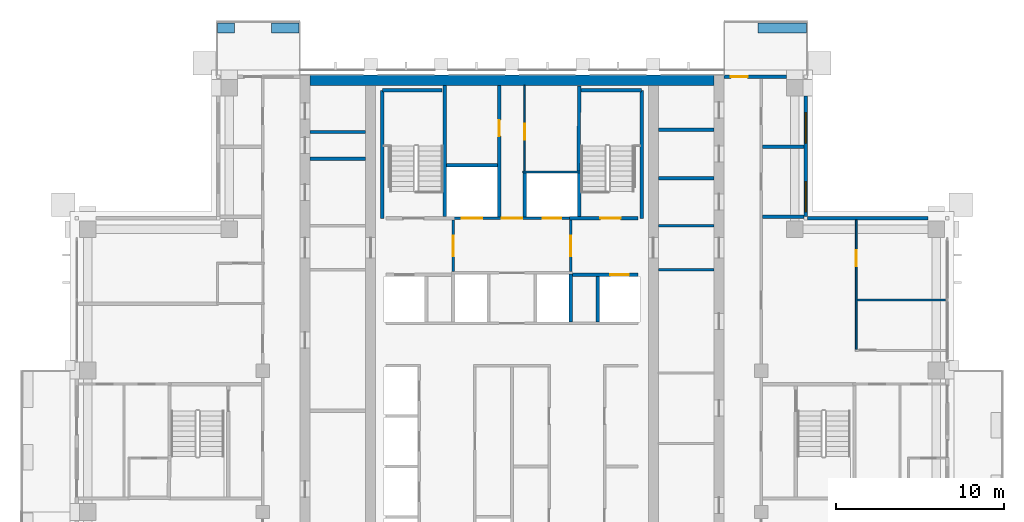
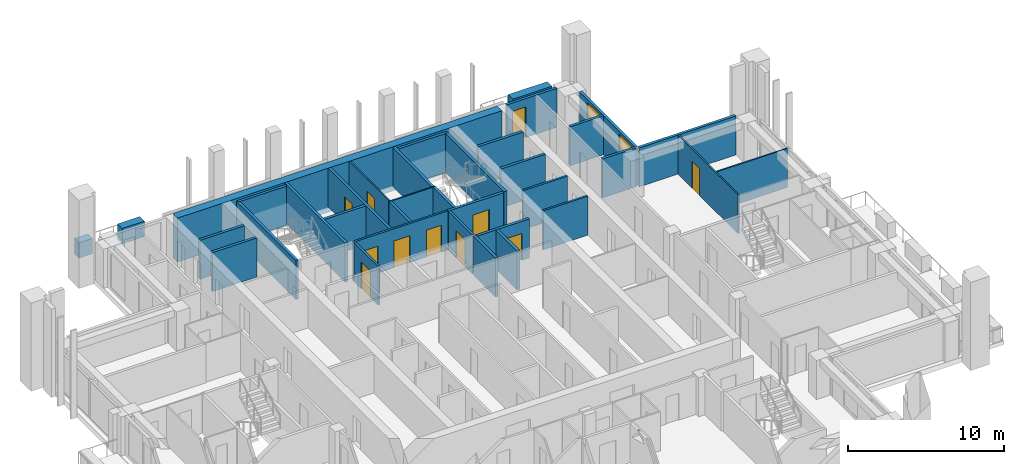
# One storey, part 13 of 18: 36 walls, 11 doors, 2 windows, 13 openings.
"""IFC4 building model written with IfcOpenShell, lengths in metres."""

from ifc_helpers import new_model, si_unit, direction, frame, frame_2d, origin, place, context, subcontext, project, spatial, rectangle, extrude, material, layer, layer_set, type_object, element, fill, save


model = new_model("IFC4")

# Units and contexts
model_context = context("Model", 3, precision=1e-05, world=origin(), true_north=direction((0.0, 1.0)))
body_context = subcontext(model_context, "Body", "Model", "MODEL_VIEW")
ifc_project = project(units=[si_unit("LENGTHUNIT", "METRE"), si_unit("AREAUNIT", "SQUARE_METRE"), si_unit("VOLUMEUNIT", "CUBIC_METRE"), si_unit("PLANEANGLEUNIT", "RADIAN"), si_unit("MASSUNIT", "GRAM", prefix="KILO")], contexts=[model_context])

# Site, building, storey
site_placement = place(None, origin())
site = spatial("IfcSite", under=ifc_project, at=site_placement, CompositionType="ELEMENT")
building_placement = place(site_placement, origin())
building = spatial("IfcBuilding", under=site, at=building_placement, Name="Vermilion Ogive Tower", CompositionType="ELEMENT")
storey_placement = place(building_placement, frame((0.0, 0.0, 199.699951171875)))
storey = spatial("IfcBuildingStorey", under=building, at=storey_placement, Name="L52", CompositionType="ELEMENT", Elevation=199.699951171875)

# Walls
ifc_material_1 = material(Name="Concrete B60", Category="concrete")
ifc_layer_1 = layer(ifc_material_1, 0.60009765625)
ifc_layer_set_1 = layer_set([ifc_layer_1], Name="Core wall 600 B60")
wall_type_1 = type_object("IfcWallType", Name="Core wall 600 B60", PredefinedType="SHEAR", material=ifc_layer_set_1)
wall_1_placement = place(storey_placement, frame((-12.0, 21.449951171875, -0.39990234375), z_axis=(0.0, 0.0, 1.0), x_axis=(1.0, 0.0, 0.0)))
element("IfcWall", 1, at=wall_1_placement, inside=storey, type_object=wall_type_1, Name="L52-CORE-N", PredefinedType="SHEAR", context=body_context, shape_type="SweptSolid", body=[
    extrude(rectangle(XDim=24.0, YDim=0.60009765625, at=frame_2d((12.0, 0.0))), origin(), (0.0, 0.0, 1.0), 3.449951171875),
])
ifc_material_2 = material(Name="Gypsum board partition on steel studs", Category="steel")
ifc_layer_2 = layer(ifc_material_2, 0.10009765625)
ifc_layer_set_2 = layer_set([ifc_layer_2], Name="Partition 100 bath")
wall_type_2 = type_object("IfcWallType", Name="Partition 100 bath", PredefinedType="PARTITIONING", material=ifc_layer_set_2)
wall_2_placement = place(storey_placement, frame((0.64990234375, 16.0, 0.0), z_axis=(0.0, 0.0, 1.0), x_axis=(1.0, 0.0, 0.0)))
element("IfcWall", 2, at=wall_2_placement, inside=storey, type_object=wall_type_2, Name="L52-CK-W-W017", PredefinedType="PARTITIONING", context=body_context, shape_type="SweptSolid", body=[
    extrude(rectangle(XDim=3.4501953125, YDim=0.10009765625, at=frame_2d((1.72509765625, 0.0))), origin(), (0.0, 0.0, 1.0), 3.050048828125),
])

# Wall, opening, door
wall_3_placement = place(storey_placement, frame((0.75, 16.050048828125, 0.0), z_axis=(0.0, 0.0, 1.0), x_axis=(0.0, 1.0, 0.0)))
wall_3 = element("IfcWall", 3, at=wall_3_placement, inside=storey, type_object=wall_type_2, Name="L52-CK-W-W029", PredefinedType="PARTITIONING", context=body_context, shape_type="SweptSolid", body=[
    extrude(rectangle(XDim=5.098876953125, YDim=0.10009765625, at=frame_2d((2.54931640625, 0.0))), origin(), (0.0, 0.0, 1.0), 3.050048828125),
])
opening_1_placement = place(wall_3_placement, frame((1.875, 0.0, 0.0)))
opening_1 = element("IfcOpeningElement", 4, at=opening_1_placement, cuts=wall_3, Name="Opening DAA478", PredefinedType="OPENING", context=body_context, shape_type="SweptSolid", body=[
    extrude(rectangle(XDim=0.949951171875, YDim=2.10009765625, at=frame_2d((0.47509765625, 1.050048828125))), frame((0.0, 0.06005859375, 0.0), z_axis=(0.0, -1.0, 0.0), x_axis=(1.0, 0.0, 0.0)), (0.0, 0.0, 1.0), 0.1201171875),
])
ifc_material_3 = material(Name="Timber door leaf", Category="wood")
door_type_1 = type_object("IfcDoorType", Name="Service door 950 x 2100 FD60", OperationType="SINGLE_SWING_LEFT", PredefinedType="DOOR", material=ifc_material_3)
door_1_placement = place(opening_1_placement, origin())
door_1 = element("IfcDoor", 5, at=door_1_placement, inside=storey, type_object=door_type_1, Name="L52-CK-D-D021", OperationType="SINGLE_SWING_LEFT", OverallHeight=2.10009765625, OverallWidth=0.949951171875, PredefinedType="DOOR", context=body_context, shape_type="SweptSolid", body=[
    extrude(rectangle(XDim=0.949951171875, YDim=2.10009765625, at=frame_2d((0.47509765625, 1.050048828125))), frame((0.0, 0.02490234375, 0.0), z_axis=(0.0, -1.0, 0.0), x_axis=(1.0, 0.0, 0.0)), (0.0, 0.0, 1.0), 0.050048828125),
])
fill(opening_1, door_1)

# Wall
ifc_material_4 = material(Name="Gypsum board partition on steel studs", Category="steel")
ifc_layer_3 = layer(ifc_material_4, 0.10009765625)
ifc_layer_set_3 = layer_set([ifc_layer_3], Name="Partition 100 inner")
wall_type_3 = type_object("IfcWallType", Name="Partition 100 inner", PredefinedType="PARTITIONING", material=ifc_layer_set_3)
wall_4_placement = place(storey_placement, frame((20.5, 8.39990234375, 0.0), z_axis=(0.0, 0.0, 1.0), x_axis=(1.0, 0.0, 0.0)))
element("IfcWall", 6, at=wall_4_placement, inside=storey, type_object=wall_type_3, Name="L52-W-W030", PredefinedType="PARTITIONING", context=body_context, shape_type="SweptSolid", body=[
    extrude(rectangle(XDim=5.25, YDim=0.10009765625, at=frame_2d((2.625, 0.0))), origin(), (0.0, 0.0, 1.0), 3.050048828125),
])

# Wall, opening, door
wall_5_placement = place(storey_placement, frame((20.449951171875, 5.449951171875, 0.0), z_axis=(0.0, 0.0, 1.0), x_axis=(0.0, 1.0, 0.0)))
wall_5 = element("IfcWall", 7, at=wall_5_placement, inside=storey, type_object=wall_type_3, Name="L52-W-W060", PredefinedType="PARTITIONING", context=body_context, shape_type="SweptSolid", body=[
    extrude(rectangle(XDim=7.699951171875, YDim=0.10009765625, at=frame_2d((3.85009765625, 0.0))), origin(), (0.0, 0.0, 1.0), 3.050048828125),
])
opening_2_placement = place(wall_5_placement, frame((4.949951171875, 0.0, 0.0)))
opening_2 = element("IfcOpeningElement", 8, at=opening_2_placement, cuts=wall_5, Name="Opening D4G4019", PredefinedType="OPENING", context=body_context, shape_type="SweptSolid", body=[
    extrude(rectangle(XDim=0.949951171875, YDim=2.10009765625, at=frame_2d((0.47509765625, 1.050048828125))), frame((0.0, 0.06005859375, 0.0), z_axis=(0.0, -1.0, 0.0), x_axis=(1.0, 0.0, 0.0)), (0.0, 0.0, 1.0), 0.1201171875),
])
ifc_material_5 = material(Name="Timber door leaf", Category="wood")
door_type_2 = type_object("IfcDoorType", Name="Inner door 950 x 2100 FD30", OperationType="SINGLE_SWING_LEFT", PredefinedType="DOOR", material=ifc_material_5)
door_2_placement = place(opening_2_placement, origin())
door_2 = element("IfcDoor", 9, at=door_2_placement, inside=storey, type_object=door_type_2, Name="L52-D-D019", OperationType="SINGLE_SWING_LEFT", OverallHeight=2.10009765625, OverallWidth=0.949951171875, PredefinedType="DOOR", context=body_context, shape_type="SweptSolid", body=[
    extrude(rectangle(XDim=0.949951171875, YDim=2.10009765625, at=frame_2d((0.47509765625, 1.050048828125))), frame((0.0, 0.02490234375, 0.0), z_axis=(0.0, -1.0, 0.0), x_axis=(1.0, 0.0, 0.0)), (0.0, 0.0, 1.0), 0.050048828125),
])
fill(opening_2, door_2)

# Wall, openings, doors
ifc_material_6 = material(Name="Gypsum board partition on steel studs", Category="steel")
ifc_layer_4 = layer(ifc_material_6, 0.14990234375)
ifc_layer_set_4 = layer_set([ifc_layer_4], Name="Partition 150 corridor")
wall_type_4 = type_object("IfcWallType", Name="Partition 150 corridor", PredefinedType="PARTITIONING", material=ifc_layer_set_4)
wall_6_placement = place(storey_placement, frame((-3.574951171875, 13.25, 0.0), z_axis=(0.0, 0.0, 1.0), x_axis=(1.0, 0.0, 0.0)))
wall_6 = element("IfcWall", 10, at=wall_6_placement, inside=storey, type_object=wall_type_4, Name="L52-CK-W-W015", PredefinedType="PARTITIONING", context=body_context, shape_type="SweptSolid", body=[
    extrude(rectangle(XDim=7.14990234375, YDim=0.14990234375, at=frame_2d((3.574951171875, 0.0))), origin(), (0.0, 0.0, 1.0), 3.050048828125),
])
opening_3_placement = place(wall_6_placement, frame((0.599853515625, 0.0, 0.0)))
opening_3 = element("IfcOpeningElement", 11, at=opening_3_placement, cuts=wall_6, Name="Opening DAA489", PredefinedType="OPENING", context=body_context, shape_type="SweptSolid", body=[
    extrude(rectangle(XDim=1.199951171875, YDim=2.10009765625, at=frame_2d((0.60009765625, 1.050048828125))), frame((0.0, 0.0849609375, 0.0), z_axis=(0.0, -1.0, 0.0), x_axis=(1.0, 0.0, 0.0)), (0.0, 0.0, 1.0), 0.169921875),
])
opening_4_placement = place(wall_6_placement, frame((5.39990234375, 0.0, 0.0)))
opening_4 = element("IfcOpeningElement", 12, at=opening_4_placement, cuts=wall_6, Name="Opening DAA488", PredefinedType="OPENING", context=body_context, shape_type="SweptSolid", body=[
    extrude(rectangle(XDim=1.10009765625, YDim=2.10009765625, at=frame_2d((0.550048828125, 1.050048828125))), frame((0.0, 0.0849609375, 0.0), z_axis=(0.0, -1.0, 0.0), x_axis=(1.0, 0.0, 0.0)), (0.0, 0.0, 1.0), 0.169921875),
])
opening_5_placement = place(wall_6_placement, frame((2.974853515625, 0.0, 0.0)))
opening_5 = element("IfcOpeningElement", 13, at=opening_5_placement, cuts=wall_6, Name="Opening DAA471", PredefinedType="OPENING", context=body_context, shape_type="SweptSolid", body=[
    extrude(rectangle(XDim=1.199951171875, YDim=2.10009765625, at=frame_2d((0.60009765625, 1.050048828125))), frame((0.0, 0.0849609375, 0.0), z_axis=(0.0, -1.0, 0.0), x_axis=(1.0, 0.0, 0.0)), (0.0, 0.0, 1.0), 0.169921875),
])
ifc_material_7 = material(Name="Stainless steel", Category="steel")
door_type_3 = type_object("IfcDoorType", Name="Lift landing door 1100 x 2100", OperationType="SLIDING_TO_LEFT", PredefinedType="DOOR", material=ifc_material_7)
door_3_placement = place(opening_4_placement, origin())
door_3 = element("IfcDoor", 14, at=door_3_placement, inside=storey, type_object=door_type_3, Name="L52-CK-D-D018", OperationType="SLIDING_TO_LEFT", OverallHeight=2.10009765625, OverallWidth=1.10009765625, PredefinedType="DOOR", context=body_context, shape_type="SweptSolid", body=[
    extrude(rectangle(XDim=1.10009765625, YDim=2.10009765625, at=frame_2d((0.550048828125, 1.050048828125))), frame((0.0, 0.02490234375, 0.0), z_axis=(0.0, -1.0, 0.0), x_axis=(1.0, 0.0, 0.0)), (0.0, 0.0, 1.0), 0.050048828125),
])
fill(opening_4, door_3)
ifc_material_8 = material(Name="Stainless steel", Category="steel")
door_type_4 = type_object("IfcDoorType", Name="Lift landing door 1200 x 2100", OperationType="SLIDING_TO_LEFT", PredefinedType="DOOR", material=ifc_material_8)
door_4_placement = place(opening_3_placement, origin())
door_4 = element("IfcDoor", 15, at=door_4_placement, inside=storey, type_object=door_type_4, Name="L52-CK-D-D017", OperationType="SLIDING_TO_RIGHT", OverallHeight=2.10009765625, OverallWidth=1.199951171875, PredefinedType="DOOR", context=body_context, shape_type="SweptSolid", body=[
    extrude(rectangle(XDim=1.199951171875, YDim=2.10009765625, at=frame_2d((0.60009765625, 1.050048828125))), frame((0.0, 0.02490234375, 0.0), z_axis=(0.0, -1.0, 0.0), x_axis=(1.0, 0.0, 0.0)), (0.0, 0.0, 1.0), 0.050048828125),
])
fill(opening_3, door_4)
ifc_material_9 = material(Name="Timber door leaf", Category="wood")
door_type_5 = type_object("IfcDoorType", Name="Service door 1200 x 2100 FD60", OperationType="SINGLE_SWING_LEFT", PredefinedType="DOOR", material=ifc_material_9)
door_5_placement = place(opening_5_placement, origin())
door_5 = element("IfcDoor", 16, at=door_5_placement, inside=storey, type_object=door_type_5, Name="L52-CK-D-D019", OperationType="SINGLE_SWING_RIGHT", OverallHeight=2.10009765625, OverallWidth=1.199951171875, PredefinedType="DOOR", context=body_context, shape_type="SweptSolid", body=[
    extrude(rectangle(XDim=1.199951171875, YDim=2.10009765625, at=frame_2d((0.60009765625, 1.050048828125))), frame((0.0, 0.02490234375, 0.0), z_axis=(0.0, -1.0, 0.0), x_axis=(1.0, 0.0, 0.0)), (0.0, 0.0, 1.0), 0.050048828125),
])
fill(opening_5, door_5)

# Wall, opening, door
wall_7_placement = place(storey_placement, frame((-3.5, 10.074951171875, 0.0), z_axis=(0.0, 0.0, 1.0), x_axis=(0.0, 1.0, 0.0)))
wall_7 = element("IfcWall", 17, at=wall_7_placement, inside=storey, type_object=wall_type_4, Name="L52-CK-W-W023", PredefinedType="PARTITIONING", context=body_context, shape_type="SweptSolid", body=[
    extrude(rectangle(XDim=3.074951171875, YDim=0.14990234375, at=frame_2d((1.53759765625, 0.0))), origin(), (0.0, 0.0, 1.0), 3.050048828125),
])
opening_6_placement = place(wall_7_placement, frame((0.925048828125, 0.0, 0.0)))
opening_6 = element("IfcOpeningElement", 18, at=opening_6_placement, cuts=wall_7, Name="Opening DAA467", PredefinedType="OPENING", context=body_context, shape_type="SweptSolid", body=[
    extrude(rectangle(XDim=1.199951171875, YDim=2.10009765625, at=frame_2d((0.60009765625, 1.050048828125))), frame((0.0, 0.0849609375, 0.0), z_axis=(0.0, -1.0, 0.0), x_axis=(1.0, 0.0, 0.0)), (0.0, 0.0, 1.0), 0.169921875),
])
ifc_material_10 = material(Name="Timber door leaf", Category="wood")
door_type_6 = type_object("IfcDoorType", Name="Lobby door 1200 x 2100 FD60S", OperationType="SINGLE_SWING_LEFT", PredefinedType="DOOR", material=ifc_material_10)
door_6_placement = place(opening_6_placement, origin())
door_6 = element("IfcDoor", 19, at=door_6_placement, inside=storey, type_object=door_type_6, Name="L52-CK-D-D022", OperationType="SINGLE_SWING_RIGHT", OverallHeight=2.10009765625, OverallWidth=1.199951171875, PredefinedType="DOOR", context=body_context, shape_type="SweptSolid", body=[
    extrude(rectangle(XDim=1.199951171875, YDim=2.10009765625, at=frame_2d((0.60009765625, 1.050048828125))), frame((0.0, 0.02490234375, 0.0), z_axis=(0.0, -1.0, 0.0), x_axis=(1.0, 0.0, 0.0)), (0.0, 0.0, 1.0), 0.050048828125),
])
fill(opening_6, door_6)

wall_8_placement = place(storey_placement, frame((3.5, 10.074951171875, 0.0), z_axis=(0.0, 0.0, 1.0), x_axis=(0.0, 1.0, 0.0)))
wall_8 = element("IfcWall", 20, at=wall_8_placement, inside=storey, type_object=wall_type_4, Name="L52-CK-W-W033", PredefinedType="PARTITIONING", context=body_context, shape_type="SweptSolid", body=[
    extrude(rectangle(XDim=3.074951171875, YDim=0.14990234375, at=frame_2d((1.53759765625, 0.0))), origin(), (0.0, 0.0, 1.0), 3.050048828125),
])
opening_7_placement = place(wall_8_placement, frame((0.925048828125, 0.0, 0.0)))
opening_7 = element("IfcOpeningElement", 21, at=opening_7_placement, cuts=wall_8, Name="Opening DAA468", PredefinedType="OPENING", context=body_context, shape_type="SweptSolid", body=[
    extrude(rectangle(XDim=1.199951171875, YDim=2.10009765625, at=frame_2d((0.60009765625, 1.050048828125))), frame((0.0, 0.0849609375, 0.0), z_axis=(0.0, -1.0, 0.0), x_axis=(1.0, 0.0, 0.0)), (0.0, 0.0, 1.0), 0.169921875),
])
door_7_placement = place(opening_7_placement, origin())
door_7 = element("IfcDoor", 22, at=door_7_placement, inside=storey, type_object=door_type_6, Name="L52-CK-D-D023", OperationType="SINGLE_SWING_LEFT", OverallHeight=2.10009765625, OverallWidth=1.199951171875, PredefinedType="DOOR", context=body_context, shape_type="SweptSolid", body=[
    extrude(rectangle(XDim=1.199951171875, YDim=2.10009765625, at=frame_2d((0.60009765625, 1.050048828125))), frame((0.0, 0.02490234375, 0.0), z_axis=(0.0, -1.0, 0.0), x_axis=(1.0, 0.0, 0.0)), (0.0, 0.0, 1.0), 0.050048828125),
])
fill(opening_7, door_7)

# Walls
for number, where, z_axis, x_axis, name in (
    (23, (8.700927734375, 10.199951171875, 0.0), (0.0, 0.0, 1.0), (1.0, 0.0, 0.0), "L52-CKE-W-W003"),
    (24, (8.700927734375, 12.800048828125, 0.0), (0.0, 0.0, 1.0), (1.0, 0.0, 0.0), "L52-CKE-W-W004"),
):
    element("IfcWall", number, at=place(storey_placement, frame(where, z_axis=z_axis, x_axis=x_axis)), inside=storey, type_object=wall_type_4, Name=name, PredefinedType="PARTITIONING", context=body_context, shape_type="SweptSolid", body=[
        extrude(rectangle(XDim=3.298095703125, YDim=0.14990234375, at=frame_2d((1.64892578125, 0.0))), origin(), (0.0, 0.0, 1.0), 3.050048828125),
    ])
ifc_material_11 = material(Name="Gypsum board partition on steel studs", Category="steel")
ifc_layer_5 = layer(ifc_material_11, 0.199951171875)
ifc_layer_set_5 = layer_set([ifc_layer_5], Name="Partition 200 party")
wall_type_5 = type_object("IfcWallType", Name="Partition 200 party", PredefinedType="PARTITIONING", material=ifc_layer_set_5)
for number, where, z_axis, x_axis, name in (
    (25, (14.875, 13.35009765625, 0.0), (0.0, 0.0, 1.0), (1.0, 0.0, 0.0), "L52-W-W033"),
    (26, (14.875, 17.5, 0.0), (0.0, 0.0, 1.0), (1.0, 0.0, 0.0), "L52-W-W035"),
):
    element("IfcWall", number, at=place(storey_placement, frame(where, z_axis=z_axis, x_axis=x_axis)), inside=storey, type_object=wall_type_5, Name=name, PredefinedType="PARTITIONING", context=body_context, shape_type="SweptSolid", body=[
        extrude(rectangle(XDim=2.47509765625, YDim=0.199951171875, at=frame_2d((1.237548828125, 0.0))), origin(), (0.0, 0.0, 1.0), 3.050048828125),
    ])

# Wall, opening, door
wall_9_placement = place(storey_placement, frame((3.60009765625, 9.89990234375, 0.0), z_axis=(0.0, 0.0, 1.0), x_axis=(1.0, 0.0, 0.0)))
wall_9 = element("IfcWall", 27, at=wall_9_placement, inside=storey, type_object=wall_type_5, Name="L52-CK-W-W012", PredefinedType="PARTITIONING", context=body_context, shape_type="SweptSolid", body=[
    extrude(rectangle(XDim=3.89990234375, YDim=0.199951171875, at=frame_2d((1.949951171875, 0.0))), origin(), (0.0, 0.0, 1.0), 3.050048828125),
])
opening_8_placement = place(wall_9_placement, frame((2.25, 0.0, 0.0)))
opening_8 = element("IfcOpeningElement", 28, at=opening_8_placement, cuts=wall_9, Name="Opening DAA487", PredefinedType="OPENING", context=body_context, shape_type="SweptSolid", body=[
    extrude(rectangle(XDim=1.10009765625, YDim=2.10009765625, at=frame_2d((0.550048828125, 1.050048828125))), frame((0.0, 0.10986328125, 0.0), z_axis=(0.0, -1.0, 0.0), x_axis=(1.0, 0.0, 0.0)), (0.0, 0.0, 1.0), 0.219970703125),
])
door_8_placement = place(opening_8_placement, origin())
door_8 = element("IfcDoor", 29, at=door_8_placement, inside=storey, type_object=door_type_3, Name="L52-CK-D-D014", OperationType="SLIDING_TO_LEFT", OverallHeight=2.10009765625, OverallWidth=1.10009765625, PredefinedType="DOOR", context=body_context, shape_type="SweptSolid", body=[
    extrude(rectangle(XDim=1.10009765625, YDim=2.10009765625, at=frame_2d((0.550048828125, 1.050048828125))), frame((0.0, 0.02490234375, 0.0), z_axis=(0.0, -1.0, 0.0), x_axis=(1.0, 0.0, 0.0)), (0.0, 0.0, 1.0), 0.050048828125),
])
fill(opening_8, door_8)

# Wall
wall_10_placement = place(storey_placement, frame((-3.89990234375, 16.39990234375, 0.0), z_axis=(0.0, 0.0, 1.0), x_axis=(1.0, 0.0, 0.0)))
element("IfcWall", 30, at=wall_10_placement, inside=storey, type_object=wall_type_5, Name="L52-CK-W-W018", PredefinedType="PARTITIONING", context=body_context, shape_type="SweptSolid", body=[
    extrude(rectangle(XDim=3.0498046875, YDim=0.199951171875, at=frame_2d((1.52490234375, 0.0))), origin(), (0.0, 0.0, 1.0), 3.050048828125),
])

# Wall, opening, door
wall_11_placement = place(storey_placement, frame((-0.75, 13.324951171875, 0.0), z_axis=(0.0, 0.0, 1.0), x_axis=(0.0, 1.0, 0.0)))
wall_11 = element("IfcWall", 31, at=wall_11_placement, inside=storey, type_object=wall_type_5, Name="L52-CK-W-W026", PredefinedType="PARTITIONING", context=body_context, shape_type="SweptSolid", body=[
    extrude(rectangle(XDim=7.823974609375, YDim=0.199951171875, at=frame_2d((3.912109375, 0.0))), origin(), (0.0, 0.0, 1.0), 3.050048828125),
])
opening_9_placement = place(wall_11_placement, frame((4.800048828125, 0.0, 0.0)))
opening_9 = element("IfcOpeningElement", 32, at=opening_9_placement, cuts=wall_11, Name="Opening DAA477", PredefinedType="OPENING", context=body_context, shape_type="SweptSolid", body=[
    extrude(rectangle(XDim=0.949951171875, YDim=2.10009765625, at=frame_2d((0.47509765625, 1.050048828125))), frame((0.0, 0.10986328125, 0.0), z_axis=(0.0, -1.0, 0.0), x_axis=(1.0, 0.0, 0.0)), (0.0, 0.0, 1.0), 0.219970703125),
])
door_9_placement = place(opening_9_placement, origin())
door_9 = element("IfcDoor", 33, at=door_9_placement, inside=storey, type_object=door_type_1, Name="L52-CK-D-D020", OperationType="SINGLE_SWING_RIGHT", OverallHeight=2.10009765625, OverallWidth=0.949951171875, PredefinedType="DOOR", context=body_context, shape_type="SweptSolid", body=[
    extrude(rectangle(XDim=0.949951171875, YDim=2.10009765625, at=frame_2d((0.47509765625, 1.050048828125))), frame((0.0, 0.02490234375, 0.0), z_axis=(0.0, -1.0, 0.0), x_axis=(1.0, 0.0, 0.0)), (0.0, 0.0, 1.0), 0.050048828125),
])
fill(opening_9, door_9)

# Walls
wall_12_placement = place(storey_placement, frame((0.75, 13.324951171875, 0.0), z_axis=(0.0, 0.0, 1.0), x_axis=(0.0, 1.0, 0.0)))
element("IfcWall", 34, at=wall_12_placement, inside=storey, type_object=wall_type_5, Name="L52-CK-W-W028", PredefinedType="PARTITIONING", context=body_context, shape_type="SweptSolid", body=[
    extrude(rectangle(XDim=2.625, YDim=0.199951171875, at=frame_2d((1.3125, 0.0))), origin(), (0.0, 0.0, 1.0), 3.050048828125),
])
wall_13_placement = place(storey_placement, frame((3.5, 7.074951171875, 0.0), z_axis=(0.0, 0.0, 1.0), x_axis=(0.0, 1.0, 0.0)))
element("IfcWall", 35, at=wall_13_placement, inside=storey, type_object=wall_type_5, Name="L52-CK-W-W032", PredefinedType="PARTITIONING", context=body_context, shape_type="SweptSolid", body=[
    extrude(rectangle(XDim=2.85009765625, YDim=0.199951171875, at=frame_2d((1.425048828125, 0.0))), origin(), (0.0, 0.0, 1.0), 3.050048828125),
])
wall_14_placement = place(storey_placement, frame((5.10009765625, 7.074951171875, 0.0), z_axis=(0.0, 0.0, 1.0), x_axis=(0.0, 1.0, 0.0)))
element("IfcWall", 36, at=wall_14_placement, inside=storey, type_object=wall_type_5, Name="L52-CK-W-W036", PredefinedType="PARTITIONING", context=body_context, shape_type="SweptSolid", body=[
    extrude(rectangle(XDim=2.72509765625, YDim=0.199951171875, at=frame_2d((1.362548828125, 0.0))), origin(), (0.0, 0.0, 1.0), 3.050048828125),
])
for number, where, z_axis, x_axis, name in (
    (37, (-11.9990234375, 16.7880859375, 0.0), (0.0, 0.0, 1.0), (1.0, 0.0, 0.0), "L52-CKW-W-W004"),
    (38, (-11.9990234375, 18.373046875, 0.0), (0.0, 0.0, 1.0), (1.0, 0.0, 0.0), "L52-CKW-W-W005"),
    (39, (8.700927734375, 15.636962890625, 0.0), (0.0, 0.0, 1.0), (1.0, 0.0, 0.0), "L52-CKE-W-W005"),
    (40, (8.700927734375, 18.509033203125, 0.0), (0.0, 0.0, 1.0), (1.0, 0.0, 0.0), "L52-CKE-W-W006"),
):
    element("IfcWall", number, at=place(storey_placement, frame(where, z_axis=z_axis, x_axis=x_axis)), inside=storey, type_object=wall_type_5, Name=name, PredefinedType="PARTITIONING", context=body_context, shape_type="SweptSolid", body=[
        extrude(rectangle(XDim=3.298095703125, YDim=0.199951171875, at=frame_2d((1.64892578125, 0.0))), origin(), (0.0, 0.0, 1.0), 3.050048828125),
    ])

# Wall, opening, door
ifc_material_12 = material(Name="Concrete B60", Category="concrete")
ifc_layer_6 = layer(ifc_material_12, 0.199951171875)
ifc_layer_set_6 = layer_set([ifc_layer_6], Name="Stair shaft wall 200 Concrete B60")
wall_type_6 = type_object("IfcWallType", Name="Stair shaft wall 200 Concrete B60", PredefinedType="SOLIDWALL", material=ifc_layer_set_6)
wall_15_placement = place(storey_placement, frame((3.425048828125, 13.25, 0.0), z_axis=(0.0, 0.0, 1.0), x_axis=(1.0, 0.0, 0.0)))
wall_15 = element("IfcWall", 41, at=wall_15_placement, inside=storey, type_object=wall_type_6, Name="L52-CK-W-W016", PredefinedType="SOLIDWALL", context=body_context, shape_type="SweptSolid", body=[
    extrude(rectangle(XDim=4.074951171875, YDim=0.199951171875, at=frame_2d((2.03759765625, 0.0))), origin(), (0.0, 0.0, 1.0), 3.050048828125),
])
opening_10_placement = place(wall_15_placement, frame((1.824951171875, 0.0, 0.0)))
opening_10 = element("IfcOpeningElement", 42, at=opening_10_placement, cuts=wall_15, Name="Opening DAA480", PredefinedType="OPENING", context=body_context, shape_type="SweptSolid", body=[
    extrude(rectangle(XDim=1.199951171875, YDim=2.10009765625, at=frame_2d((0.60009765625, 1.050048828125))), frame((0.0, 0.10986328125, 0.0), z_axis=(0.0, -1.0, 0.0), x_axis=(1.0, 0.0, 0.0)), (0.0, 0.0, 1.0), 0.219970703125),
])
ifc_material_13 = material(Name="Timber door leaf", Category="wood")
door_type_7 = type_object("IfcDoorType", Name="Stair door 1200 x 2100 FD60S", OperationType="SINGLE_SWING_LEFT", PredefinedType="DOOR", material=ifc_material_13)
door_10_placement = place(opening_10_placement, origin())
door_10 = element("IfcDoor", 43, at=door_10_placement, inside=storey, type_object=door_type_7, Name="L52-CK-D-D013", OperationType="SINGLE_SWING_RIGHT", OverallHeight=2.10009765625, OverallWidth=1.199951171875, PredefinedType="DOOR", context=body_context, shape_type="SweptSolid", body=[
    extrude(rectangle(XDim=1.199951171875, YDim=2.10009765625, at=frame_2d((0.60009765625, 1.050048828125))), frame((0.0, 0.02490234375, 0.0), z_axis=(0.0, -1.0, 0.0), x_axis=(1.0, 0.0, 0.0)), (0.0, 0.0, 1.0), 0.050048828125),
])
fill(opening_10, door_10)

# Walls
wall_16_placement = place(storey_placement, frame((-4.0, 13.35009765625, 0.0), z_axis=(0.0, 0.0, 1.0), x_axis=(0.0, 1.0, 0.0)))
element("IfcWall", 44, at=wall_16_placement, inside=storey, type_object=wall_type_6, Name="L52-CK-W-W021", PredefinedType="SOLIDWALL", context=body_context, shape_type="SweptSolid", body=[
    extrude(rectangle(XDim=7.798828125, YDim=0.199951171875, at=frame_2d((3.8994140625, 0.0))), origin(), (0.0, 0.0, 1.0), 3.050048828125),
])
wall_17_placement = place(storey_placement, frame((4.0, 13.35009765625, 0.0), z_axis=(0.0, 0.0, 1.0), x_axis=(0.0, 1.0, 0.0)))
element("IfcWall", 45, at=wall_17_placement, inside=storey, type_object=wall_type_6, Name="L52-CK-W-W034", PredefinedType="SOLIDWALL", context=body_context, shape_type="SweptSolid", body=[
    extrude(rectangle(XDim=2.599853515625, YDim=0.199951171875, at=frame_2d((1.2998046875, 0.0))), origin(), (0.0, 0.0, 1.0), 3.050048828125),
])
wall_18_placement = place(storey_placement, frame((3.949951171875, 16.050048828125, 0.0), z_axis=(0.0, 0.0, 1.0), x_axis=(0.009911993103, 0.99995087499, 0.0)))
element("IfcWall", 46, at=wall_18_placement, inside=storey, type_object=wall_type_6, Name="L52-CK-W-W035", PredefinedType="SOLIDWALL", context=body_context, shape_type="SweptSolid", body=[
    extrude(rectangle(XDim=5.04931640625, YDim=0.199951171875, at=frame_2d((2.524658203125, 0.0))), origin(), (0.0, 0.0, 1.0), 3.050048828125),
])
wall_19_placement = place(storey_placement, frame((-7.699951171875, 13.25, 0.0), z_axis=(0.0, 0.0, 1.0), x_axis=(0.0, 1.0, 0.0)))
element("IfcWall", 47, at=wall_19_placement, inside=storey, type_object=wall_type_6, Name="L52-SW-R015-W1", PredefinedType="SOLIDWALL", context=body_context, shape_type="SweptSolid", body=[
    extrude(rectangle(XDim=7.60009765625, YDim=0.199951171875, at=frame_2d((3.800048828125, 0.0))), origin(), (0.0, 0.0, 1.0), 3.050048828125),
])
wall_20_placement = place(storey_placement, frame((-7.699951171875, 20.85009765625, 0.0), z_axis=(0.0, 0.0, 1.0), x_axis=(1.0, 0.0, 0.0)))
element("IfcWall", 48, at=wall_20_placement, inside=storey, type_object=wall_type_6, Name="L52-SW-R015-N1", PredefinedType="SOLIDWALL", context=body_context, shape_type="SweptSolid", body=[
    extrude(rectangle(XDim=3.550048828125, YDim=0.199951171875, at=frame_2d((1.77490234375, 0.0))), origin(), (0.0, 0.0, 1.0), 3.050048828125),
])
wall_21_placement = place(storey_placement, frame((7.699951171875, 13.25, 0.0), z_axis=(0.0, 0.0, 1.0), x_axis=(0.0, 1.0, 0.0)))
element("IfcWall", 49, at=wall_21_placement, inside=storey, type_object=wall_type_6, Name="L52-SW-R019-E1", PredefinedType="SOLIDWALL", context=body_context, shape_type="SweptSolid", body=[
    extrude(rectangle(XDim=7.60009765625, YDim=0.199951171875, at=frame_2d((3.800048828125, 0.0))), origin(), (0.0, 0.0, 1.0), 3.050048828125),
])
wall_22_placement = place(storey_placement, frame((4.10009765625, 20.85009765625, 0.0), z_axis=(0.0, 0.0, 1.0), x_axis=(1.0, 0.0, 0.0)))
element("IfcWall", 50, at=wall_22_placement, inside=storey, type_object=wall_type_6, Name="L52-SW-R019-N1", PredefinedType="SOLIDWALL", context=body_context, shape_type="SweptSolid", body=[
    extrude(rectangle(XDim=3.599853515625, YDim=0.199951171875, at=frame_2d((1.7998046875, 0.0))), origin(), (0.0, 0.0, 1.0), 3.050048828125),
])
ifc_material_14 = material(Name="Concrete B40", Category="concrete")
ifc_layer_7 = layer(ifc_material_14, 0.60009765625)
ifc_layer_set_7 = layer_set([ifc_layer_7], Name="Structural planter")
wall_type_7 = type_object("IfcWallType", Name="Structural planter", PredefinedType="USERDEFINED", material=ifc_layer_set_7)
wall_23_placement = place(storey_placement, frame((17.489990234375, 24.550048828125, -0.0400390625), z_axis=(0.0, 0.0, 1.0), x_axis=(-1.0, 0.0, 0.0)))
element("IfcWall", 51, at=wall_23_placement, inside=storey, type_object=wall_type_7, Name="Planter N101A1", ObjectType="PLANTER", PredefinedType="USERDEFINED", context=body_context, shape_type="SweptSolid", body=[
    extrude(rectangle(XDim=2.889892578125, YDim=0.60009765625, at=frame_2d((1.44482421875, 0.0))), origin(), (0.0, 0.0, 1.0), 1.2001953125),
])
wall_24_placement = place(storey_placement, frame((-12.659912109375, 24.550048828125, -0.0400390625), z_axis=(0.0, 0.0, 1.0), x_axis=(-1.0, 0.0, 0.0)))
element("IfcWall", 52, at=wall_24_placement, inside=storey, type_object=wall_type_7, Name="Planter N201A1", ObjectType="PLANTER", PredefinedType="USERDEFINED", context=body_context, shape_type="SweptSolid", body=[
    extrude(rectangle(XDim=1.64013671875, YDim=0.60009765625, at=frame_2d((0.820068359375, 0.0))), origin(), (0.0, 0.0, 1.0), 1.2001953125),
])
wall_25_placement = place(storey_placement, frame((-16.5, 24.550048828125, -0.0400390625), z_axis=(0.0, 0.0, 1.0), x_axis=(-1.0, 0.0, 0.0)))
element("IfcWall", 53, at=wall_25_placement, inside=storey, type_object=wall_type_7, Name="Planter N201A2", ObjectType="PLANTER", PredefinedType="USERDEFINED", context=body_context, shape_type="SweptSolid", body=[
    extrude(rectangle(XDim=0.989990234375, YDim=0.60009765625, at=frame_2d((0.4951171875, 0.0))), origin(), (0.0, 0.0, 1.0), 1.2001953125),
])
ifc_material_15 = material(Name="Aluminium window wall framing", Category="aluminium")
ifc_layer_8 = layer(ifc_material_15, 0.199951171875)
ifc_layer_set_8 = layer_set([ifc_layer_8], Name="Window wall")
wall_type_8 = type_object("IfcWallType", Name="Window wall", PredefinedType="STANDARD", material=ifc_layer_set_8)
wall_26_placement = place(storey_placement, frame((24.699951171875, 13.25, 0.0), z_axis=(0.0, 0.0, 1.0), x_axis=(-1.0, 0.0, 0.0)))
element("IfcWall", 54, at=wall_26_placement, inside=storey, type_object=wall_type_8, Name="Window wall X31", PredefinedType="STANDARD", context=body_context, shape_type="SweptSolid", body=[
    extrude(rectangle(XDim=7.14990234375, YDim=0.199951171875, at=frame_2d((3.574951171875, 0.0))), origin(), (0.0, 0.0, 1.0), 3.050048828125),
])

# Wall, openings, windows
wall_27_placement = place(storey_placement, frame((17.449951171875, 13.35009765625, 0.0), z_axis=(0.0, 0.0, 1.0), x_axis=(0.0, 1.0, 0.0)))
wall_27 = element("IfcWall", 55, at=wall_27_placement, inside=storey, type_object=wall_type_8, Name="Window wall X41", PredefinedType="STANDARD", context=body_context, shape_type="SweptSolid", body=[
    extrude(rectangle(XDim=7.14990234375, YDim=0.199951171875, at=frame_2d((3.574951171875, 0.0))), origin(), (0.0, 0.0, 1.0), 3.050048828125),
])
opening_11_placement = place(wall_27_placement, frame((0.27490234375, 0.0, 0.199951171875)))
opening_11 = element("IfcOpeningElement", 56, at=opening_11_placement, cuts=wall_27, Name="Opening W1-X403", PredefinedType="OPENING", context=body_context, shape_type="SweptSolid", body=[
    extrude(rectangle(XDim=1.800048828125, YDim=2.64990234375, at=frame_2d((0.89990234375, 1.324951171875))), frame((0.0, 0.10986328125, 0.0), z_axis=(0.0, -1.0, 0.0), x_axis=(1.0, 0.0, 0.0)), (0.0, 0.0, 1.0), 0.219970703125),
])
opening_12_placement = place(wall_27_placement, frame((4.3701171875, 0.0, 0.199951171875)))
opening_12 = element("IfcOpeningElement", 57, at=opening_12_placement, cuts=wall_27, Name="Opening W1-X404", PredefinedType="OPENING", context=body_context, shape_type="SweptSolid", body=[
    extrude(rectangle(XDim=1.800048828125, YDim=2.64990234375, at=frame_2d((0.89990234375, 1.324951171875))), frame((0.0, 0.10986328125, 0.0), z_axis=(0.0, -1.0, 0.0), x_axis=(1.0, 0.0, 0.0)), (0.0, 0.0, 1.0), 0.219970703125),
])
ifc_material_16 = material(Name="Aluminium framed double glazing", Category="aluminium")
window_type = type_object("IfcWindowType", Name="Guest window W1", PartitioningType="SINGLE_PANEL", PredefinedType="WINDOW", material=ifc_material_16)
window_1_placement = place(opening_11_placement, origin())
window_1 = element("IfcWindow", 58, at=window_1_placement, inside=storey, type_object=window_type, Name="Window X403", OverallHeight=2.64990234375, OverallWidth=1.800048828125, PartitioningType="SINGLE_PANEL", PredefinedType="WINDOW", context=body_context, shape_type="SweptSolid", body=[
    extrude(rectangle(XDim=1.800048828125, YDim=2.64990234375, at=frame_2d((0.89990234375, 1.324951171875))), frame((0.0, 0.030029296875, 0.0), z_axis=(0.0, -1.0, 0.0), x_axis=(1.0, 0.0, 0.0)), (0.0, 0.0, 1.0), 0.06005859375),
])
fill(opening_11, window_1)
window_2_placement = place(opening_12_placement, origin())
window_2 = element("IfcWindow", 59, at=window_2_placement, inside=storey, type_object=window_type, Name="Window X404", OverallHeight=2.64990234375, OverallWidth=1.800048828125, PartitioningType="SINGLE_PANEL", PredefinedType="WINDOW", context=body_context, shape_type="SweptSolid", body=[
    extrude(rectangle(XDim=1.800048828125, YDim=2.64990234375, at=frame_2d((0.89990234375, 1.324951171875))), frame((0.0, 0.030029296875, 0.0), z_axis=(0.0, -1.0, 0.0), x_axis=(1.0, 0.0, 0.0)), (0.0, 0.0, 1.0), 0.06005859375),
])
fill(opening_12, window_2)

# Wall, opening, door
wall_28_placement = place(storey_placement, frame((16.300048828125, 21.64990234375, 0.0), z_axis=(0.0, 0.0, 1.0), x_axis=(-1.0, 0.0, 0.0)))
wall_28 = element("IfcWall", 60, at=wall_28_placement, inside=storey, type_object=wall_type_8, Name="Window wall N11", PredefinedType="STANDARD", context=body_context, shape_type="SweptSolid", body=[
    extrude(rectangle(XDim=3.699951171875, YDim=0.199951171875, at=frame_2d((1.85009765625, 0.0))), origin(), (0.0, 0.0, 1.0), 3.050048828125),
])
opening_13_placement = place(wall_28_placement, frame((2.300048828125, 0.0, 0.0)))
opening_13 = element("IfcOpeningElement", 61, at=opening_13_placement, cuts=wall_28, Name="Opening D1-N103", PredefinedType="OPENING", context=body_context, shape_type="SweptSolid", body=[
    extrude(rectangle(XDim=1.0, YDim=2.39990234375, at=frame_2d((0.5, 1.199951171875))), frame((0.0, 0.10986328125, 0.0), z_axis=(0.0, -1.0, 0.0), x_axis=(1.0, 0.0, 0.0)), (0.0, 0.0, 1.0), 0.219970703125),
])
ifc_material_17 = material(Name="Aluminium framed glazed door", Category="aluminium")
door_type_8 = type_object("IfcDoorType", Name="Balcony door D1", OperationType="SINGLE_SWING_LEFT", PredefinedType="DOOR", material=ifc_material_17)
door_11_placement = place(opening_13_placement, origin())
door_11 = element("IfcDoor", 62, at=door_11_placement, inside=storey, type_object=door_type_8, Name="Balcony door N103", OperationType="SINGLE_SWING_LEFT", OverallHeight=2.39990234375, OverallWidth=1.0, PredefinedType="DOOR", context=body_context, shape_type="SweptSolid", body=[
    extrude(rectangle(XDim=1.0, YDim=2.39990234375, at=frame_2d((0.5, 1.199951171875))), frame((0.0, 0.02490234375, 0.0), z_axis=(0.0, -1.0, 0.0), x_axis=(1.0, 0.0, 0.0)), (0.0, 0.0, 1.0), 0.050048828125),
])
fill(opening_13, door_11)

save(model, "model.ifc")
